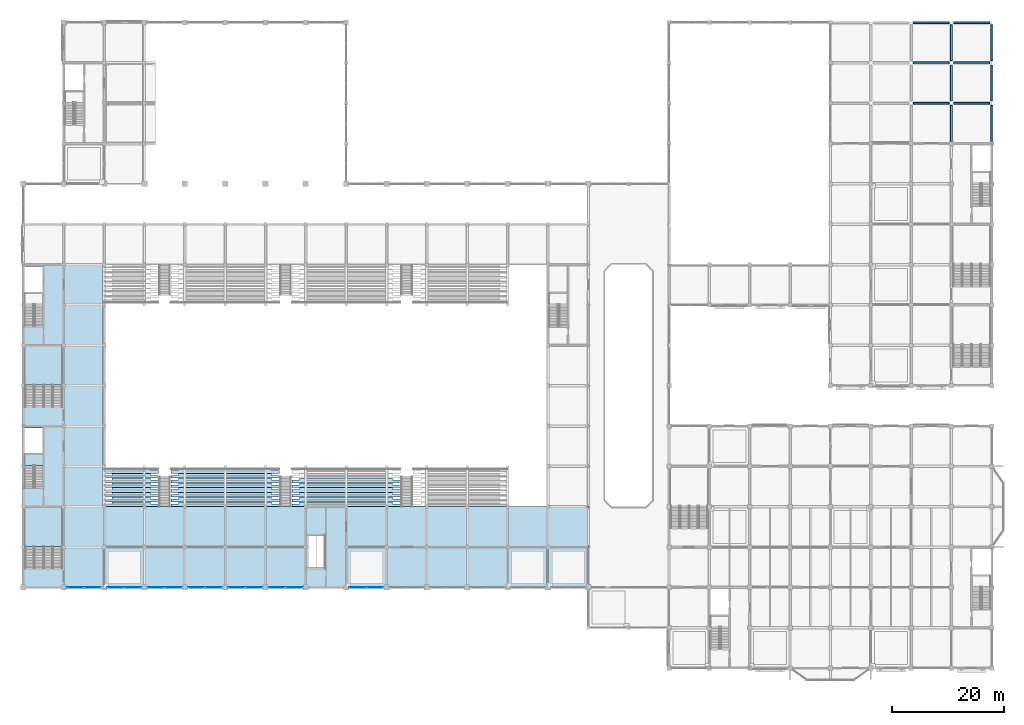
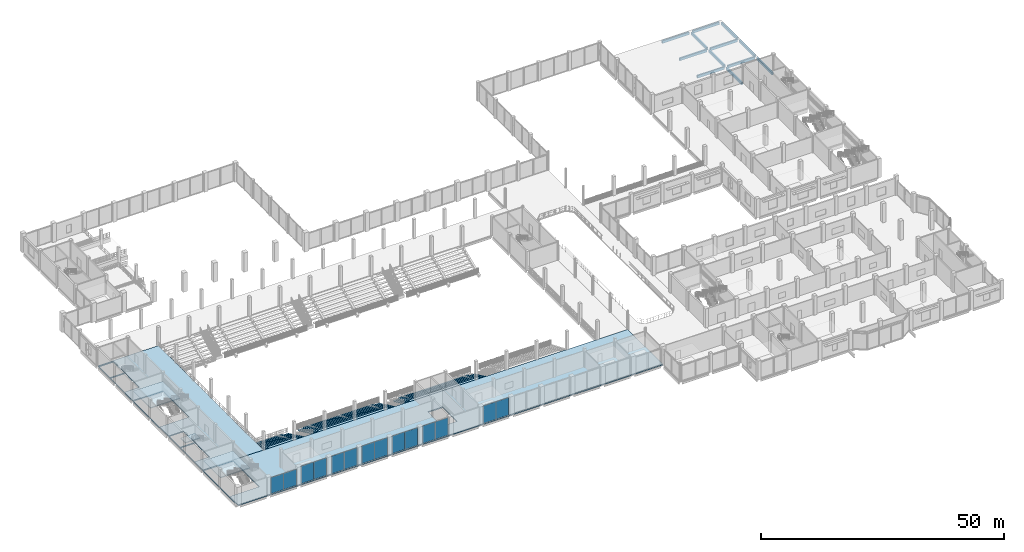
# One storey, part 55 of 99: 27 slabs, 14 plates, 12 beams, 10 elements without a shape of their own.
"""IFC4 building model written with IfcOpenShell, lengths in metres."""

from ifc_helpers import new_model, si_unit, direction, frame, origin, origin_2d, place, context, subcontext, project, spatial, polyline, rectangle, outline, extrude, material, layer, layer_set, material_profile, profile_set, type_object, element, aggregate, save


model = new_model("IFC4")

# Units and contexts
model_context = context("Model", 3, precision=1e-05, world=origin(), true_north=direction((0.0, 1.0)))
body_context = subcontext(model_context, "Body", "Model", "MODEL_VIEW")
ifc_project = project(units=[si_unit("LENGTHUNIT", "METRE"), si_unit("AREAUNIT", "SQUARE_METRE"), si_unit("VOLUMEUNIT", "CUBIC_METRE"), si_unit("PLANEANGLEUNIT", "RADIAN"), si_unit("MASSUNIT", "GRAM", prefix="KILO")], contexts=[model_context])

# Site, building, storey
site_placement = place(None, origin())
site = spatial("IfcSite", under=ifc_project, at=site_placement, CompositionType="ELEMENT")
building_placement = place(site_placement, origin())
building = spatial("IfcBuilding", under=site, at=building_placement, Name="Vesperath Aquatics Centre", CompositionType="ELEMENT")
storey_placement = place(building_placement, frame((0.0, 0.0, 5.39990234375)))
storey = spatial("IfcBuildingStorey", under=building, at=storey_placement, Name="L01", CompositionType="ELEMENT", Elevation=5.39990234375)

# Beams
ifc_material_1 = material(Name="Concrete C35", Category="concrete")
ifc_material_profile = material_profile(ifc_material_1, rectangle(XDim=0.35009765625, YDim=0.64990234375, at=origin_2d()), Name="RC 350x650")
ifc_profile_set = profile_set([ifc_material_profile], Name="Concrete C35")
beam_type = type_object("IfcBeamType", Name="BM-G05", PredefinedType="BEAM", material=ifc_profile_set)
for number, where, z_axis, x_axis, name in (
    (1, (158.800048828125, 100.800048828125, -0.579833984375), (1.0, 0.0, 0.0), (0.0, 1.0, 0.0), "Changing Wing Low Roof Girder B05 Q 23-24"),
    (2, (158.800048828125, 108.0, -0.579833984375), (1.0, 0.0, 0.0), (0.0, 1.0, 0.0), "Changing Wing Low Roof Girder B05 R 23-24"),
    (3, (158.800048828125, 115.199951171875, -0.579833984375), (1.0, 0.0, 0.0), (0.0, 1.0, 0.0), "Changing Wing Low Roof Girder B05 S 23-24"),
    (4, (166.0, 100.800048828125, -0.579833984375), (1.0, 0.0, 0.0), (0.0, 1.0, 0.0), "Changing Wing Low Roof Girder B05 Q 24-25"),
    (5, (166.0, 108.0, -0.579833984375), (1.0, 0.0, 0.0), (0.0, 1.0, 0.0), "Changing Wing Low Roof Girder B05 R 24-25"),
    (6, (166.0, 115.199951171875, -0.579833984375), (1.0, 0.0, 0.0), (0.0, 1.0, 0.0), "Changing Wing Low Roof Girder B05 S 24-25"),
    (7, (165.60009765625, 94.0, -0.579833984375), (0.0, 1.0, 0.0), (-1.0, 0.0, 0.0), "Changing Wing Low Roof Girder B05 24 P-Q"),
):
    element("IfcBeam", number, at=place(storey_placement, frame(where, z_axis=z_axis, x_axis=x_axis)), inside=storey, type_object=beam_type, Name=name, PredefinedType="BEAM", context=body_context, shape_type="SweptSolid", body=[
        extrude(rectangle(XDim=0.35009765625, YDim=0.64990234375, at=origin_2d()), origin(), (0.0, 0.0, 1.0), 6.39990234375),
    ])
for number, where, z_axis, x_axis, name in (
    (8, (165.60009765625, 101.199951171875, -0.579833984375), (0.0, 1.0, 0.0), (-1.0, 0.0, 0.0), "Changing Wing Low Roof Girder B05 24 Q-R"),
    (9, (165.60009765625, 108.39990234375, -0.579833984375), (0.0, 1.0, 0.0), (-1.0, 0.0, 0.0), "Changing Wing Low Roof Girder B05 24 R-S"),
):
    element("IfcBeam", number, at=place(storey_placement, frame(where, z_axis=z_axis, x_axis=x_axis)), inside=storey, type_object=beam_type, Name=name, PredefinedType="BEAM", context=body_context, shape_type="SweptSolid", body=[
        extrude(rectangle(XDim=0.35009765625, YDim=0.64990234375, at=origin_2d()), origin(), (0.0, 0.0, 1.0), 6.400146484375),
    ])
beam_placement = place(storey_placement, frame((172.800048828125, 94.0, -0.579833984375), z_axis=(0.0, 1.0, 0.0), x_axis=(-1.0, 0.0, 0.0)))
element("IfcBeam", 10, at=beam_placement, inside=storey, type_object=beam_type, Name="Changing Wing Low Roof Girder B05 25 P-Q", PredefinedType="BEAM", context=body_context, shape_type="SweptSolid", body=[
    extrude(rectangle(XDim=0.35009765625, YDim=0.64990234375, at=origin_2d()), origin(), (0.0, 0.0, 1.0), 6.39990234375),
])
for number, where, z_axis, x_axis, name in (
    (11, (172.800048828125, 101.199951171875, -0.579833984375), (0.0, 1.0, 0.0), (-1.0, 0.0, 0.0), "Changing Wing Low Roof Girder B05 25 Q-R"),
    (12, (172.800048828125, 108.39990234375, -0.579833984375), (0.0, 1.0, 0.0), (-1.0, 0.0, 0.0), "Changing Wing Low Roof Girder B05 25 R-S"),
):
    element("IfcBeam", number, at=place(storey_placement, frame(where, z_axis=z_axis, x_axis=x_axis)), inside=storey, type_object=beam_type, Name=name, PredefinedType="BEAM", context=body_context, shape_type="SweptSolid", body=[
        extrude(rectangle(XDim=0.35009765625, YDim=0.64990234375, at=origin_2d()), origin(), (0.0, 0.0, 1.0), 6.400146484375),
    ])

# Curtain wall, plates
ifc_material_2 = material(Name="Thermally broken anodised bronze aluminium curtain wall", Category="aluminium")
curtain_wall_type = type_object("IfcCurtainWallType", Name="CW-02", PredefinedType="NOTDEFINED", material=ifc_material_2)
curtain_wall_1_placement = place(storey_placement, origin())
curtain_wall_1 = element("IfcCurtainWall", 13, at=curtain_wall_1_placement, inside=storey, type_object=curtain_wall_type, Name="Facade Curtain Wall CW02 L01_S_01_02", PredefinedType="NOTDEFINED")
ifc_material_3 = material(Name="Triple low-E argon insulated vision glass", Category="glass")
ifc_layer_1 = layer(ifc_material_3, 0.035888671875)
ifc_layer_set_1 = layer_set([ifc_layer_1], Name="Triple low-E argon insulated vision glass")
plate_type = type_object("IfcPlateType", Name="PT-CWP02", PredefinedType="CURTAIN_PANEL", material=ifc_layer_set_1)
plate_1_placement = place(storey_placement, frame((9.268798828125, 14.39990234375, 0.0751953125), z_axis=(0.0, 0.0, 1.0), x_axis=(1.0, 0.0, 0.0)))
plate_1 = element("IfcPlate", 14, at=plate_1_placement, type_object=plate_type, Name="CW02 panel 1.1", PredefinedType="CURTAIN_PANEL", context=body_context, shape_type="SweptSolid", body=[
    extrude(rectangle(XDim=2.987548828125, YDim=0.035888671875, at=origin_2d()), origin(), (0.0, 0.0, 1.0), 4.0400390625),
])
plate_2_placement = place(storey_placement, frame((12.331298828125, 14.39990234375, 0.0751953125), z_axis=(0.0, 0.0, 1.0), x_axis=(1.0, 0.0, 0.0)))
plate_2 = element("IfcPlate", 15, at=plate_2_placement, type_object=plate_type, Name="CW02 panel 2.1", PredefinedType="CURTAIN_PANEL", context=body_context, shape_type="SweptSolid", body=[
    extrude(rectangle(XDim=2.987548828125, YDim=0.035888671875, at=origin_2d()), origin(), (0.0, 0.0, 1.0), 4.0400390625),
])
aggregate(curtain_wall_1, [plate_1, plate_2])

curtain_wall_2_placement = place(storey_placement, origin())
curtain_wall_2 = element("IfcCurtainWall", 16, at=curtain_wall_2_placement, inside=storey, type_object=curtain_wall_type, Name="Facade Curtain Wall CW02 L01_S_02_02", PredefinedType="NOTDEFINED")
plate_3_placement = place(storey_placement, frame((16.46875, 14.39990234375, 0.0751953125), z_axis=(0.0, 0.0, 1.0), x_axis=(1.0, 0.0, 0.0)))
plate_3 = element("IfcPlate", 17, at=plate_3_placement, type_object=plate_type, Name="CW02 panel 1.1", PredefinedType="CURTAIN_PANEL", context=body_context, shape_type="SweptSolid", body=[
    extrude(rectangle(XDim=2.987548828125, YDim=0.035888671875, at=origin_2d()), origin(), (0.0, 0.0, 1.0), 4.389892578125),
])
plate_4_placement = place(storey_placement, frame((19.53125, 14.39990234375, 0.0751953125), z_axis=(0.0, 0.0, 1.0), x_axis=(1.0, 0.0, 0.0)))
plate_4 = element("IfcPlate", 18, at=plate_4_placement, type_object=plate_type, Name="CW02 panel 2.1", PredefinedType="CURTAIN_PANEL", context=body_context, shape_type="SweptSolid", body=[
    extrude(rectangle(XDim=2.987548828125, YDim=0.035888671875, at=origin_2d()), origin(), (0.0, 0.0, 1.0), 4.389892578125),
])
aggregate(curtain_wall_2, [plate_3, plate_4])

curtain_wall_3_placement = place(storey_placement, origin())
curtain_wall_3 = element("IfcCurtainWall", 19, at=curtain_wall_3_placement, inside=storey, type_object=curtain_wall_type, Name="Facade Curtain Wall CW02 L01_S_03_02", PredefinedType="NOTDEFINED")
plate_5_placement = place(storey_placement, frame((23.668701171875, 14.39990234375, 0.0751953125), z_axis=(0.0, 0.0, 1.0), x_axis=(1.0, 0.0, 0.0)))
plate_5 = element("IfcPlate", 20, at=plate_5_placement, type_object=plate_type, Name="CW02 panel 1.1", PredefinedType="CURTAIN_PANEL", context=body_context, shape_type="SweptSolid", body=[
    extrude(rectangle(XDim=2.987548828125, YDim=0.035888671875, at=origin_2d()), origin(), (0.0, 0.0, 1.0), 4.389892578125),
])
plate_6_placement = place(storey_placement, frame((26.731201171875, 14.39990234375, 0.0751953125), z_axis=(0.0, 0.0, 1.0), x_axis=(1.0, 0.0, 0.0)))
plate_6 = element("IfcPlate", 21, at=plate_6_placement, type_object=plate_type, Name="CW02 panel 2.1", PredefinedType="CURTAIN_PANEL", context=body_context, shape_type="SweptSolid", body=[
    extrude(rectangle(XDim=2.987548828125, YDim=0.035888671875, at=origin_2d()), origin(), (0.0, 0.0, 1.0), 4.389892578125),
])
aggregate(curtain_wall_3, [plate_5, plate_6])

curtain_wall_4_placement = place(storey_placement, origin())
curtain_wall_4 = element("IfcCurtainWall", 22, at=curtain_wall_4_placement, inside=storey, type_object=curtain_wall_type, Name="Facade Curtain Wall CW02 L01_S_04_02", PredefinedType="NOTDEFINED")
plate_7_placement = place(storey_placement, frame((30.86865234375, 14.39990234375, 0.0751953125), z_axis=(0.0, 0.0, 1.0), x_axis=(1.0, 0.0, 0.0)))
plate_7 = element("IfcPlate", 23, at=plate_7_placement, type_object=plate_type, Name="CW02 panel 1.1", PredefinedType="CURTAIN_PANEL", context=body_context, shape_type="SweptSolid", body=[
    extrude(rectangle(XDim=2.987548828125, YDim=0.035888671875, at=origin_2d()), origin(), (0.0, 0.0, 1.0), 4.389892578125),
])
plate_8_placement = place(storey_placement, frame((33.93115234375, 14.39990234375, 0.0751953125), z_axis=(0.0, 0.0, 1.0), x_axis=(1.0, 0.0, 0.0)))
plate_8 = element("IfcPlate", 24, at=plate_8_placement, type_object=plate_type, Name="CW02 panel 2.1", PredefinedType="CURTAIN_PANEL", context=body_context, shape_type="SweptSolid", body=[
    extrude(rectangle(XDim=2.987548828125, YDim=0.035888671875, at=origin_2d()), origin(), (0.0, 0.0, 1.0), 4.389892578125),
])
aggregate(curtain_wall_4, [plate_7, plate_8])

curtain_wall_5_placement = place(storey_placement, origin())
curtain_wall_5 = element("IfcCurtainWall", 25, at=curtain_wall_5_placement, inside=storey, type_object=curtain_wall_type, Name="Facade Curtain Wall CW02 L01_S_05_02", PredefinedType="NOTDEFINED")
plate_9_placement = place(storey_placement, frame((38.06884765625, 14.39990234375, 0.0751953125), z_axis=(0.0, 0.0, 1.0), x_axis=(1.0, 0.0, 0.0)))
plate_9 = element("IfcPlate", 26, at=plate_9_placement, type_object=plate_type, Name="CW02 panel 1.1", PredefinedType="CURTAIN_PANEL", context=body_context, shape_type="SweptSolid", body=[
    extrude(rectangle(XDim=2.987548828125, YDim=0.035888671875, at=origin_2d()), origin(), (0.0, 0.0, 1.0), 4.389892578125),
])
plate_10_placement = place(storey_placement, frame((41.13134765625, 14.39990234375, 0.0751953125), z_axis=(0.0, 0.0, 1.0), x_axis=(1.0, 0.0, 0.0)))
plate_10 = element("IfcPlate", 27, at=plate_10_placement, type_object=plate_type, Name="CW02 panel 2.1", PredefinedType="CURTAIN_PANEL", context=body_context, shape_type="SweptSolid", body=[
    extrude(rectangle(XDim=2.987548828125, YDim=0.035888671875, at=origin_2d()), origin(), (0.0, 0.0, 1.0), 4.389892578125),
])
aggregate(curtain_wall_5, [plate_9, plate_10])

curtain_wall_6_placement = place(storey_placement, origin())
curtain_wall_6 = element("IfcCurtainWall", 28, at=curtain_wall_6_placement, inside=storey, type_object=curtain_wall_type, Name="Facade Curtain Wall CW02 L01_S_06_02", PredefinedType="NOTDEFINED")
plate_11_placement = place(storey_placement, frame((45.268798828125, 14.39990234375, 0.0751953125), z_axis=(0.0, 0.0, 1.0), x_axis=(1.0, 0.0, 0.0)))
plate_11 = element("IfcPlate", 29, at=plate_11_placement, type_object=plate_type, Name="CW02 panel 1.1", PredefinedType="CURTAIN_PANEL", context=body_context, shape_type="SweptSolid", body=[
    extrude(rectangle(XDim=2.987548828125, YDim=0.035888671875, at=origin_2d()), origin(), (0.0, 0.0, 1.0), 4.389892578125),
])
plate_12_placement = place(storey_placement, frame((48.331298828125, 14.39990234375, 0.0751953125), z_axis=(0.0, 0.0, 1.0), x_axis=(1.0, 0.0, 0.0)))
plate_12 = element("IfcPlate", 30, at=plate_12_placement, type_object=plate_type, Name="CW02 panel 2.1", PredefinedType="CURTAIN_PANEL", context=body_context, shape_type="SweptSolid", body=[
    extrude(rectangle(XDim=2.987548828125, YDim=0.035888671875, at=origin_2d()), origin(), (0.0, 0.0, 1.0), 4.389892578125),
])
aggregate(curtain_wall_6, [plate_11, plate_12])

curtain_wall_7_placement = place(storey_placement, origin())
curtain_wall_7 = element("IfcCurtainWall", 31, at=curtain_wall_7_placement, inside=storey, type_object=curtain_wall_type, Name="Facade Curtain Wall CW02 L01_S_08_02", PredefinedType="NOTDEFINED")
plate_13_placement = place(storey_placement, frame((59.668701171875, 14.39990234375, 0.0751953125), z_axis=(0.0, 0.0, 1.0), x_axis=(1.0, 0.0, 0.0)))
plate_13 = element("IfcPlate", 32, at=plate_13_placement, type_object=plate_type, Name="CW02 panel 1.1", PredefinedType="CURTAIN_PANEL", context=body_context, shape_type="SweptSolid", body=[
    extrude(rectangle(XDim=2.987548828125, YDim=0.035888671875, at=origin_2d()), origin(), (0.0, 0.0, 1.0), 4.389892578125),
])
plate_14_placement = place(storey_placement, frame((62.731201171875, 14.39990234375, 0.0751953125), z_axis=(0.0, 0.0, 1.0), x_axis=(1.0, 0.0, 0.0)))
plate_14 = element("IfcPlate", 33, at=plate_14_placement, type_object=plate_type, Name="CW02 panel 2.1", PredefinedType="CURTAIN_PANEL", context=body_context, shape_type="SweptSolid", body=[
    extrude(rectangle(XDim=2.987548828125, YDim=0.035888671875, at=origin_2d()), origin(), (0.0, 0.0, 1.0), 4.389892578125),
])
aggregate(curtain_wall_7, [plate_13, plate_14])

# Slabs
ifc_layer_2 = layer(ifc_material_1, 0.260009765625)
ifc_layer_set_2 = layer_set([ifc_layer_2], Name="Concrete C35")
slab_type_1 = type_object("IfcSlabType", Name="SL-FL02", PredefinedType="FLOOR", material=ifc_layer_set_2)
slab_1_placement = place(storey_placement, frame((0.0, 0.0, -0.260009765625)))
element("IfcSlab", 34, at=slab_1_placement, inside=storey, type_object=slab_type_1, Name="South Spectator Concourse Slab SL02 L01", PredefinedType="FLOOR", context=body_context, shape_type="SweptSolid", body=[
    extrude(outline(polyline([(0.0, 14.39990234375), (100.800048828125, 14.39990234375), (100.800048828125, 28.800048828125), (0.0, 28.800048828125), (0.0, 14.39990234375)]), holes=[polyline([(50.47998046875, 17.85009765625), (53.93994140625, 17.85009765625), (53.93994140625, 23.760009765625), (50.47998046875, 23.760009765625), (50.47998046875, 17.85009765625)]), polyline([(0.080078125, 17.85009765625), (7.1201171875, 17.85009765625), (7.1201171875, 28.719970703125), (0.080078125, 28.719970703125), (0.080078125, 17.85009765625)])]), origin(), (0.0, 0.0, 1.0), 0.260009765625),
])
slab_2_placement = place(storey_placement, frame((0.0, 0.0, -0.260009765625)))
element("IfcSlab", 35, at=slab_2_placement, inside=storey, type_object=slab_type_1, Name="West Spectator Concourse Slab SL02 L01", PredefinedType="FLOOR", context=body_context, shape_type="SweptSolid", body=[
    extrude(outline(polyline([(0.0, 28.800048828125), (14.39990234375, 28.800048828125), (14.39990234375, 72.0), (0.0, 72.0), (0.0, 28.800048828125)]), holes=[polyline([(0.080078125, 32.25), (3.5400390625, 32.25), (3.5400390625, 38.159912109375), (0.080078125, 38.159912109375), (0.080078125, 32.25)]), polyline([(0.080078125, 38.340087890625), (3.5400390625, 38.340087890625), (3.5400390625, 42.8798828125), (0.080078125, 42.8798828125), (0.080078125, 38.340087890625)]), polyline([(0.080078125, 61.050048828125), (3.5400390625, 61.050048828125), (3.5400390625, 66.9599609375), (0.080078125, 66.9599609375), (0.080078125, 61.050048828125)]), polyline([(0.080078125, 67.139892578125), (3.5400390625, 67.139892578125), (3.5400390625, 71.679931640625), (0.080078125, 71.679931640625), (0.080078125, 67.139892578125)]), polyline([(0.080078125, 46.64990234375), (7.1201171875, 46.64990234375), (7.1201171875, 57.52001953125), (0.080078125, 57.52001953125), (0.080078125, 46.64990234375)])]), origin(), (0.0, 0.0, 1.0), 0.260009765625),
])

# Stair, slab
stair_type_1 = type_object("IfcStairType", Name="ST-HT48", PredefinedType="HALF_TURN_STAIR", material=ifc_material_1)
stair_1_placement = place(storey_placement, origin())
stair_1 = element("IfcStair", 36, at=stair_1_placement, inside=storey, type_object=stair_type_1, Name="Enclosed Exit Stair ST1 L01", PredefinedType="HALF_TURN_STAIR")
ifc_layer_3 = layer(ifc_material_1, 0.199951171875)
ifc_layer_set_3 = layer_set([ifc_layer_3], Name="Concrete C35")
slab_type_2 = type_object("IfcSlabType", Name="SL-LND1", PredefinedType="LANDING", material=ifc_layer_set_3)
slab_3_placement = place(storey_placement, frame((0.0, 0.0, 2.2001953125)))
slab_3 = element("IfcSlab", 37, at=slab_3_placement, type_object=slab_type_2, Name="Stair ST1 Half-Landing L01", PredefinedType="LANDING", context=body_context, shape_type="SweptSolid", body=[
    extrude(outline(polyline([(0.090087890625, 36.139892578125), (3.52001953125, 36.139892578125), (3.52001953125, 38.10009765625), (0.090087890625, 38.10009765625), (0.090087890625, 36.139892578125)])), origin(), (0.0, 0.0, 1.0), 0.199951171875),
])
aggregate(stair_1, [slab_3])

stair_type_2 = type_object("IfcStairType", Name="ST-HW48", PredefinedType="HALF_TURN_STAIR", material=ifc_material_1)
stair_2_placement = place(storey_placement, origin())
stair_2 = element("IfcStair", 38, at=stair_2_placement, inside=storey, type_object=stair_type_2, Name="Enclosed Exit Stair ST11A L01", PredefinedType="HALF_TURN_STAIR")
slab_4_placement = place(storey_placement, frame((0.0, 0.0, 2.2001953125)))
slab_4 = element("IfcSlab", 39, at=slab_4_placement, type_object=slab_type_2, Name="Stairs ST11A and ST11B Half-Landing L01", PredefinedType="LANDING", context=body_context, shape_type="SweptSolid", body=[
    extrude(outline(polyline([(0.090087890625, 50.5400390625), (7.110107421875, 50.5400390625), (7.110107421875, 57.510009765625), (0.090087890625, 57.510009765625), (0.090087890625, 50.5400390625)])), origin(), (0.0, 0.0, 1.0), 0.199951171875),
])
aggregate(stair_2, [slab_4])

stair_3_placement = place(storey_placement, origin())
stair_3 = element("IfcStair", 40, at=stair_3_placement, inside=storey, type_object=stair_type_2, Name="Enclosed Exit Stair ST10A L01", PredefinedType="HALF_TURN_STAIR")
ifc_layer_4 = layer(ifc_material_1, 0.18994140625)
ifc_layer_set_4 = layer_set([ifc_layer_4], Name="Concrete C35")
slab_type_3 = type_object("IfcSlabType", Name="SL-LND2", PredefinedType="LANDING", material=ifc_layer_set_4)
slab_5_placement = place(storey_placement, frame((0.0, 0.0, 2.210205078125)))
slab_5 = element("IfcSlab", 41, at=slab_5_placement, type_object=slab_type_3, Name="Stairs ST10A and ST10B Half-Landing L01", PredefinedType="LANDING", context=body_context, shape_type="SweptSolid", body=[
    extrude(outline(polyline([(0.090087890625, 21.739990234375), (7.110107421875, 21.739990234375), (7.110107421875, 28.7099609375), (0.090087890625, 28.7099609375), (0.090087890625, 21.739990234375)])), origin(), (0.0, 0.0, 1.0), 0.18994140625),
])
aggregate(stair_3, [slab_5])

# Slabs
ifc_material_4 = material(Name="Precast concrete C35", Category="concrete")
ifc_layer_5 = layer(ifc_material_4, 0.179931640625)
ifc_layer_set_5 = layer_set([ifc_layer_5], Name="Precast concrete C35")
slab_type_4 = type_object("IfcSlabType", Name="SL-ST01", PredefinedType="USERDEFINED", material=ifc_layer_set_5)
slab_6_placement = place(storey_placement, frame((0.0, 0.0, -0.3798828125)))
element("IfcSlab", 42, at=slab_6_placement, inside=storey, type_object=slab_type_4, Name="Stand Lower South B1 Row 1", ObjectType="SEATING TIER", PredefinedType="USERDEFINED", context=body_context, shape_type="SweptSolid", body=[
    extrude(outline(polyline([(14.39990234375, 28.800048828125), (24.10009765625, 28.800048828125), (24.10009765625, 29.31005859375), (22.699951171875, 29.31005859375), (22.699951171875, 29.64990234375), (15.800048828125, 29.64990234375), (15.800048828125, 29.31005859375), (14.39990234375, 29.31005859375), (14.39990234375, 28.800048828125)])), origin(), (0.0, 0.0, 1.0), 0.179931640625),
])
slab_7_placement = place(storey_placement, frame((0.0, 0.0, -0.3798828125)))
element("IfcSlab", 43, at=slab_7_placement, inside=storey, type_object=slab_type_4, Name="Stand Lower South B2 Row 1", ObjectType="SEATING TIER", PredefinedType="USERDEFINED", context=body_context, shape_type="SweptSolid", body=[
    extrude(outline(polyline([(26.300048828125, 28.800048828125), (45.699951171875, 28.800048828125), (45.699951171875, 29.31005859375), (44.300048828125, 29.31005859375), (44.300048828125, 29.64990234375), (27.699951171875, 29.64990234375), (27.699951171875, 29.31005859375), (26.300048828125, 29.31005859375), (26.300048828125, 28.800048828125)])), origin(), (0.0, 0.0, 1.0), 0.179931640625),
])
slab_8_placement = place(storey_placement, frame((0.0, 0.0, -0.3798828125)))
element("IfcSlab", 44, at=slab_8_placement, inside=storey, type_object=slab_type_4, Name="Stand Lower South B3 Row 1", ObjectType="SEATING TIER", PredefinedType="USERDEFINED", context=body_context, shape_type="SweptSolid", body=[
    extrude(outline(polyline([(47.89990234375, 28.800048828125), (67.300048828125, 28.800048828125), (67.300048828125, 29.31005859375), (65.89990234375, 29.31005859375), (65.89990234375, 29.64990234375), (49.300048828125, 29.64990234375), (49.300048828125, 29.31005859375), (47.89990234375, 29.31005859375), (47.89990234375, 28.800048828125)])), origin(), (0.0, 0.0, 1.0), 0.179931640625),
])
slab_9_placement = place(storey_placement, frame((0.0, 0.0, -0.77978515625)))
element("IfcSlab", 45, at=slab_9_placement, inside=storey, type_object=slab_type_4, Name="Stand Lower South B1 Row 2", ObjectType="SEATING TIER", PredefinedType="USERDEFINED", context=body_context, shape_type="SweptSolid", body=[
    extrude(outline(polyline([(14.39990234375, 29.64990234375), (24.10009765625, 29.64990234375), (24.10009765625, 30.159912109375), (22.699951171875, 30.159912109375), (22.699951171875, 30.5), (15.800048828125, 30.5), (15.800048828125, 30.159912109375), (14.39990234375, 30.159912109375), (14.39990234375, 29.64990234375)])), origin(), (0.0, 0.0, 1.0), 0.179931640625),
])
slab_10_placement = place(storey_placement, frame((0.0, 0.0, -0.77978515625)))
element("IfcSlab", 46, at=slab_10_placement, inside=storey, type_object=slab_type_4, Name="Stand Lower South B2 Row 2", ObjectType="SEATING TIER", PredefinedType="USERDEFINED", context=body_context, shape_type="SweptSolid", body=[
    extrude(outline(polyline([(26.300048828125, 29.64990234375), (45.699951171875, 29.64990234375), (45.699951171875, 30.159912109375), (44.300048828125, 30.159912109375), (44.300048828125, 30.5), (27.699951171875, 30.5), (27.699951171875, 30.159912109375), (26.300048828125, 30.159912109375), (26.300048828125, 29.64990234375)])), origin(), (0.0, 0.0, 1.0), 0.179931640625),
])
slab_11_placement = place(storey_placement, frame((0.0, 0.0, -0.77978515625)))
element("IfcSlab", 47, at=slab_11_placement, inside=storey, type_object=slab_type_4, Name="Stand Lower South B3 Row 2", ObjectType="SEATING TIER", PredefinedType="USERDEFINED", context=body_context, shape_type="SweptSolid", body=[
    extrude(outline(polyline([(47.89990234375, 29.64990234375), (67.300048828125, 29.64990234375), (67.300048828125, 30.159912109375), (65.89990234375, 30.159912109375), (65.89990234375, 30.5), (49.300048828125, 30.5), (49.300048828125, 30.159912109375), (47.89990234375, 30.159912109375), (47.89990234375, 29.64990234375)])), origin(), (0.0, 0.0, 1.0), 0.179931640625),
])
slab_12_placement = place(storey_placement, frame((0.0, 0.0, -1.179931640625)))
element("IfcSlab", 48, at=slab_12_placement, inside=storey, type_object=slab_type_4, Name="Stand Lower South B1 Row 3", ObjectType="SEATING TIER", PredefinedType="USERDEFINED", context=body_context, shape_type="SweptSolid", body=[
    extrude(outline(polyline([(14.39990234375, 30.5), (24.10009765625, 30.5), (24.10009765625, 31.010009765625), (22.699951171875, 31.010009765625), (22.699951171875, 31.35009765625), (15.800048828125, 31.35009765625), (15.800048828125, 31.010009765625), (14.39990234375, 31.010009765625), (14.39990234375, 30.5)])), origin(), (0.0, 0.0, 1.0), 0.179931640625),
])
slab_13_placement = place(storey_placement, frame((0.0, 0.0, -1.179931640625)))
element("IfcSlab", 49, at=slab_13_placement, inside=storey, type_object=slab_type_4, Name="Stand Lower South B2 Row 3", ObjectType="SEATING TIER", PredefinedType="USERDEFINED", context=body_context, shape_type="SweptSolid", body=[
    extrude(outline(polyline([(26.300048828125, 30.5), (45.699951171875, 30.5), (45.699951171875, 31.010009765625), (44.300048828125, 31.010009765625), (44.300048828125, 31.35009765625), (27.699951171875, 31.35009765625), (27.699951171875, 31.010009765625), (26.300048828125, 31.010009765625), (26.300048828125, 30.5)])), origin(), (0.0, 0.0, 1.0), 0.179931640625),
])
slab_14_placement = place(storey_placement, frame((0.0, 0.0, -1.179931640625)))
element("IfcSlab", 50, at=slab_14_placement, inside=storey, type_object=slab_type_4, Name="Stand Lower South B3 Row 3", ObjectType="SEATING TIER", PredefinedType="USERDEFINED", context=body_context, shape_type="SweptSolid", body=[
    extrude(outline(polyline([(47.89990234375, 30.5), (67.300048828125, 30.5), (67.300048828125, 31.010009765625), (65.89990234375, 31.010009765625), (65.89990234375, 31.35009765625), (49.300048828125, 31.35009765625), (49.300048828125, 31.010009765625), (47.89990234375, 31.010009765625), (47.89990234375, 30.5)])), origin(), (0.0, 0.0, 1.0), 0.179931640625),
])
slab_15_placement = place(storey_placement, frame((0.0, 0.0, -1.579833984375)))
element("IfcSlab", 51, at=slab_15_placement, inside=storey, type_object=slab_type_4, Name="Stand Lower South B1 Row 4", ObjectType="SEATING TIER", PredefinedType="USERDEFINED", context=body_context, shape_type="SweptSolid", body=[
    extrude(outline(polyline([(14.39990234375, 31.35009765625), (24.10009765625, 31.35009765625), (24.10009765625, 31.860107421875), (22.699951171875, 31.860107421875), (22.699951171875, 32.199951171875), (15.800048828125, 32.199951171875), (15.800048828125, 31.860107421875), (14.39990234375, 31.860107421875), (14.39990234375, 31.35009765625)])), origin(), (0.0, 0.0, 1.0), 0.179931640625),
])
slab_16_placement = place(storey_placement, frame((0.0, 0.0, -1.579833984375)))
element("IfcSlab", 52, at=slab_16_placement, inside=storey, type_object=slab_type_4, Name="Stand Lower South B2 Row 4", ObjectType="SEATING TIER", PredefinedType="USERDEFINED", context=body_context, shape_type="SweptSolid", body=[
    extrude(outline(polyline([(26.300048828125, 31.35009765625), (45.699951171875, 31.35009765625), (45.699951171875, 31.860107421875), (44.300048828125, 31.860107421875), (44.300048828125, 32.199951171875), (27.699951171875, 32.199951171875), (27.699951171875, 31.860107421875), (26.300048828125, 31.860107421875), (26.300048828125, 31.35009765625)])), origin(), (0.0, 0.0, 1.0), 0.179931640625),
])
slab_17_placement = place(storey_placement, frame((0.0, 0.0, -1.579833984375)))
element("IfcSlab", 53, at=slab_17_placement, inside=storey, type_object=slab_type_4, Name="Stand Lower South B3 Row 4", ObjectType="SEATING TIER", PredefinedType="USERDEFINED", context=body_context, shape_type="SweptSolid", body=[
    extrude(outline(polyline([(47.89990234375, 31.35009765625), (67.300048828125, 31.35009765625), (67.300048828125, 31.860107421875), (65.89990234375, 31.860107421875), (65.89990234375, 32.199951171875), (49.300048828125, 32.199951171875), (49.300048828125, 31.860107421875), (47.89990234375, 31.860107421875), (47.89990234375, 31.35009765625)])), origin(), (0.0, 0.0, 1.0), 0.179931640625),
])
slab_18_placement = place(storey_placement, frame((0.0, 0.0, -1.97998046875)))
element("IfcSlab", 54, at=slab_18_placement, inside=storey, type_object=slab_type_4, Name="Stand Lower South B1 Row 5", ObjectType="SEATING TIER", PredefinedType="USERDEFINED", context=body_context, shape_type="SweptSolid", body=[
    extrude(outline(polyline([(14.39990234375, 32.199951171875), (24.10009765625, 32.199951171875), (24.10009765625, 32.7099609375), (22.699951171875, 32.7099609375), (22.699951171875, 33.050048828125), (15.800048828125, 33.050048828125), (15.800048828125, 32.7099609375), (14.39990234375, 32.7099609375), (14.39990234375, 32.199951171875)])), origin(), (0.0, 0.0, 1.0), 0.18017578125),
])
slab_19_placement = place(storey_placement, frame((0.0, 0.0, -1.97998046875)))
element("IfcSlab", 55, at=slab_19_placement, inside=storey, type_object=slab_type_4, Name="Stand Lower South B2 Row 5", ObjectType="SEATING TIER", PredefinedType="USERDEFINED", context=body_context, shape_type="SweptSolid", body=[
    extrude(outline(polyline([(26.300048828125, 32.199951171875), (45.699951171875, 32.199951171875), (45.699951171875, 32.7099609375), (44.300048828125, 32.7099609375), (44.300048828125, 33.050048828125), (27.699951171875, 33.050048828125), (27.699951171875, 32.7099609375), (26.300048828125, 32.7099609375), (26.300048828125, 32.199951171875)])), origin(), (0.0, 0.0, 1.0), 0.18017578125),
])
slab_20_placement = place(storey_placement, frame((0.0, 0.0, -1.97998046875)))
element("IfcSlab", 56, at=slab_20_placement, inside=storey, type_object=slab_type_4, Name="Stand Lower South B3 Row 5", ObjectType="SEATING TIER", PredefinedType="USERDEFINED", context=body_context, shape_type="SweptSolid", body=[
    extrude(outline(polyline([(47.89990234375, 32.199951171875), (67.300048828125, 32.199951171875), (67.300048828125, 32.7099609375), (65.89990234375, 32.7099609375), (65.89990234375, 33.050048828125), (49.300048828125, 33.050048828125), (49.300048828125, 32.7099609375), (47.89990234375, 32.7099609375), (47.89990234375, 32.199951171875)])), origin(), (0.0, 0.0, 1.0), 0.18017578125),
])
slab_21_placement = place(storey_placement, frame((0.0, 0.0, -2.3798828125)))
element("IfcSlab", 57, at=slab_21_placement, inside=storey, type_object=slab_type_4, Name="Stand Lower South B1 Row 6", ObjectType="SEATING TIER", PredefinedType="USERDEFINED", context=body_context, shape_type="SweptSolid", body=[
    extrude(outline(polyline([(14.39990234375, 33.050048828125), (24.10009765625, 33.050048828125), (24.10009765625, 33.56005859375), (22.699951171875, 33.56005859375), (22.699951171875, 33.89990234375), (15.800048828125, 33.89990234375), (15.800048828125, 33.56005859375), (14.39990234375, 33.56005859375), (14.39990234375, 33.050048828125)])), origin(), (0.0, 0.0, 1.0), 0.179931640625),
])
slab_22_placement = place(storey_placement, frame((0.0, 0.0, -2.3798828125)))
element("IfcSlab", 58, at=slab_22_placement, inside=storey, type_object=slab_type_4, Name="Stand Lower South B2 Row 6", ObjectType="SEATING TIER", PredefinedType="USERDEFINED", context=body_context, shape_type="SweptSolid", body=[
    extrude(outline(polyline([(26.300048828125, 33.050048828125), (45.699951171875, 33.050048828125), (45.699951171875, 33.56005859375), (44.300048828125, 33.56005859375), (44.300048828125, 33.89990234375), (27.699951171875, 33.89990234375), (27.699951171875, 33.56005859375), (26.300048828125, 33.56005859375), (26.300048828125, 33.050048828125)])), origin(), (0.0, 0.0, 1.0), 0.179931640625),
])
slab_23_placement = place(storey_placement, frame((0.0, 0.0, -2.3798828125)))
element("IfcSlab", 59, at=slab_23_placement, inside=storey, type_object=slab_type_4, Name="Stand Lower South B3 Row 6", ObjectType="SEATING TIER", PredefinedType="USERDEFINED", context=body_context, shape_type="SweptSolid", body=[
    extrude(outline(polyline([(47.89990234375, 33.050048828125), (67.300048828125, 33.050048828125), (67.300048828125, 33.56005859375), (65.89990234375, 33.56005859375), (65.89990234375, 33.89990234375), (49.300048828125, 33.89990234375), (49.300048828125, 33.56005859375), (47.89990234375, 33.56005859375), (47.89990234375, 33.050048828125)])), origin(), (0.0, 0.0, 1.0), 0.179931640625),
])
slab_24_placement = place(storey_placement, frame((0.0, 0.0, -2.77978515625)))
element("IfcSlab", 60, at=slab_24_placement, inside=storey, type_object=slab_type_4, Name="Stand Lower South B1 Row 7", ObjectType="SEATING TIER", PredefinedType="USERDEFINED", context=body_context, shape_type="SweptSolid", body=[
    extrude(outline(polyline([(14.39990234375, 33.89990234375), (24.10009765625, 33.89990234375), (24.10009765625, 34.409912109375), (22.699951171875, 34.409912109375), (22.699951171875, 34.75), (15.800048828125, 34.75), (15.800048828125, 34.409912109375), (14.39990234375, 34.409912109375), (14.39990234375, 33.89990234375)])), origin(), (0.0, 0.0, 1.0), 0.179931640625),
])
slab_25_placement = place(storey_placement, frame((0.0, 0.0, -2.77978515625)))
element("IfcSlab", 61, at=slab_25_placement, inside=storey, type_object=slab_type_4, Name="Stand Lower South B2 Row 7", ObjectType="SEATING TIER", PredefinedType="USERDEFINED", context=body_context, shape_type="SweptSolid", body=[
    extrude(outline(polyline([(26.300048828125, 33.89990234375), (45.699951171875, 33.89990234375), (45.699951171875, 34.409912109375), (44.300048828125, 34.409912109375), (44.300048828125, 34.75), (27.699951171875, 34.75), (27.699951171875, 34.409912109375), (26.300048828125, 34.409912109375), (26.300048828125, 33.89990234375)])), origin(), (0.0, 0.0, 1.0), 0.179931640625),
])
slab_26_placement = place(storey_placement, frame((0.0, 0.0, -3.179931640625)))
element("IfcSlab", 62, at=slab_26_placement, inside=storey, type_object=slab_type_4, Name="Stand Lower South B1 Row 8", ObjectType="SEATING TIER", PredefinedType="USERDEFINED", context=body_context, shape_type="SweptSolid", body=[
    extrude(outline(polyline([(14.39990234375, 34.75), (24.10009765625, 34.75), (24.10009765625, 35.260009765625), (22.699951171875, 35.260009765625), (22.699951171875, 35.60009765625), (15.800048828125, 35.60009765625), (15.800048828125, 35.260009765625), (14.39990234375, 35.260009765625), (14.39990234375, 34.75)])), origin(), (0.0, 0.0, 1.0), 0.179931640625),
])
slab_27_placement = place(storey_placement, frame((0.0, 0.0, -3.179931640625)))
element("IfcSlab", 63, at=slab_27_placement, inside=storey, type_object=slab_type_4, Name="Stand Lower South B2 Row 8", ObjectType="SEATING TIER", PredefinedType="USERDEFINED", context=body_context, shape_type="SweptSolid", body=[
    extrude(outline(polyline([(26.300048828125, 34.75), (45.699951171875, 34.75), (45.699951171875, 35.260009765625), (44.300048828125, 35.260009765625), (44.300048828125, 35.60009765625), (27.699951171875, 35.60009765625), (27.699951171875, 35.260009765625), (26.300048828125, 35.260009765625), (26.300048828125, 34.75)])), origin(), (0.0, 0.0, 1.0), 0.179931640625),
])

save(model, "model.ifc")
